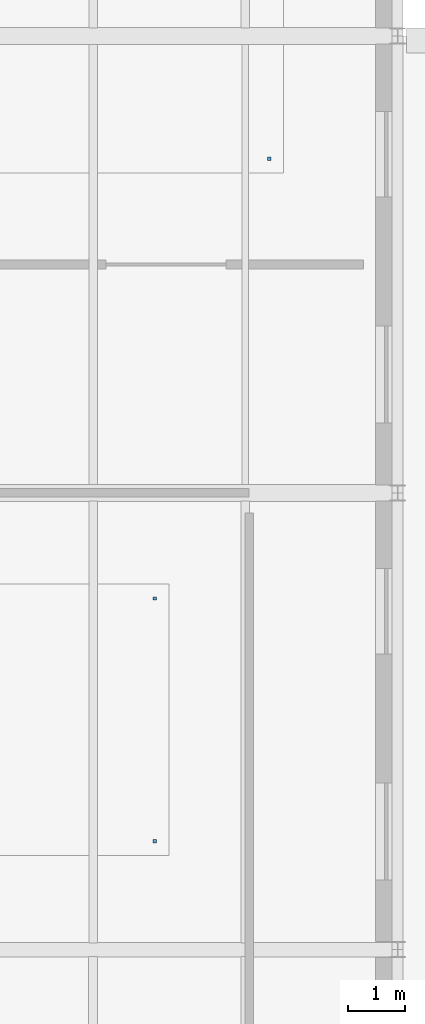
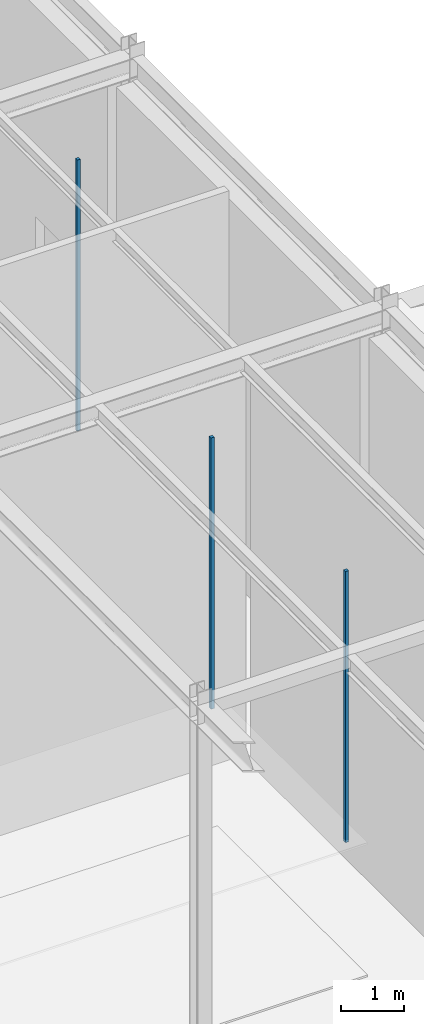
# One storey, part 108 of 138: 3 discrete accessories.
"""IFC4 building model written with IfcOpenShell, lengths in metres."""

from ifc_helpers import new_model, si_unit, direction, frame, origin, origin_2d, place, context, subcontext, project, spatial, rectangle, extrude, material, type_object, element, save


model = new_model("IFC4")

# Units and contexts
model_context = context("Model", 3, precision=1e-05, world=origin(), true_north=direction((0.0, 1.0)))
body_context = subcontext(model_context, "Body", "Model", "MODEL_VIEW")
ifc_project = project(units=[si_unit("LENGTHUNIT", "METRE"), si_unit("AREAUNIT", "SQUARE_METRE"), si_unit("VOLUMEUNIT", "CUBIC_METRE"), si_unit("PLANEANGLEUNIT", "RADIAN"), si_unit("MASSUNIT", "GRAM", prefix="KILO")], contexts=[model_context])

# Site, building, storey
site_placement = place(None, origin())
site = spatial("IfcSite", under=ifc_project, at=site_placement, CompositionType="ELEMENT")
building_placement = place(site_placement, origin())
building = spatial("IfcBuilding", under=site, at=building_placement, Name="Sundkrona Museum", CompositionType="ELEMENT")
storey_placement = place(building_placement, frame((0.0, 0.0, 9.60009765625)))
storey = spatial("IfcBuildingStorey", under=building, at=storey_placement, Name="L02", CompositionType="ELEMENT", Elevation=9.60009765625)

# Discrete accessories
ifc_material = material(Name="Stainless Steel EN 1.4404 Cleat", Category="steel")
discrete_accessory_type = type_object("IfcDiscreteAccessoryType", Name="BRK-FIN-01", PredefinedType="BRACKET", material=ifc_material)
for number, where, z_axis, x_axis, name in (
    (1, (75.75, 87.89990234375, 2.5498046875), (0.0, 0.0, 1.0), (1.0, 0.0, 0.0), "L02 Temporary Exhibition Hall Ceiling Hanger 2"),
    (2, (75.75, 92.14990234375, 2.5498046875), (0.0, 0.0, 1.0), (1.0, 0.0, 0.0), "L02 Temporary Exhibition Hall Ceiling Hanger 3"),
    (3, (77.75, 99.85009765625, 2.5498046875), (0.0, 0.0, 1.0), (1.0, 0.0, 0.0), "L02 Tapestry and Textile Gallery Ceiling Hanger 2"),
):
    element("IfcDiscreteAccessory", number, at=place(storey_placement, frame(where, z_axis=z_axis, x_axis=x_axis)), inside=storey, type_object=discrete_accessory_type, Name=name, PredefinedType="BRACKET", context=body_context, shape_type="SweptSolid", body=[
        extrude(rectangle(XDim=0.06005859375, YDim=0.06005859375, at=origin_2d()), origin(), (0.0, 0.0, 1.0), 5.239990234375),
    ])

save(model, "model.ifc")
